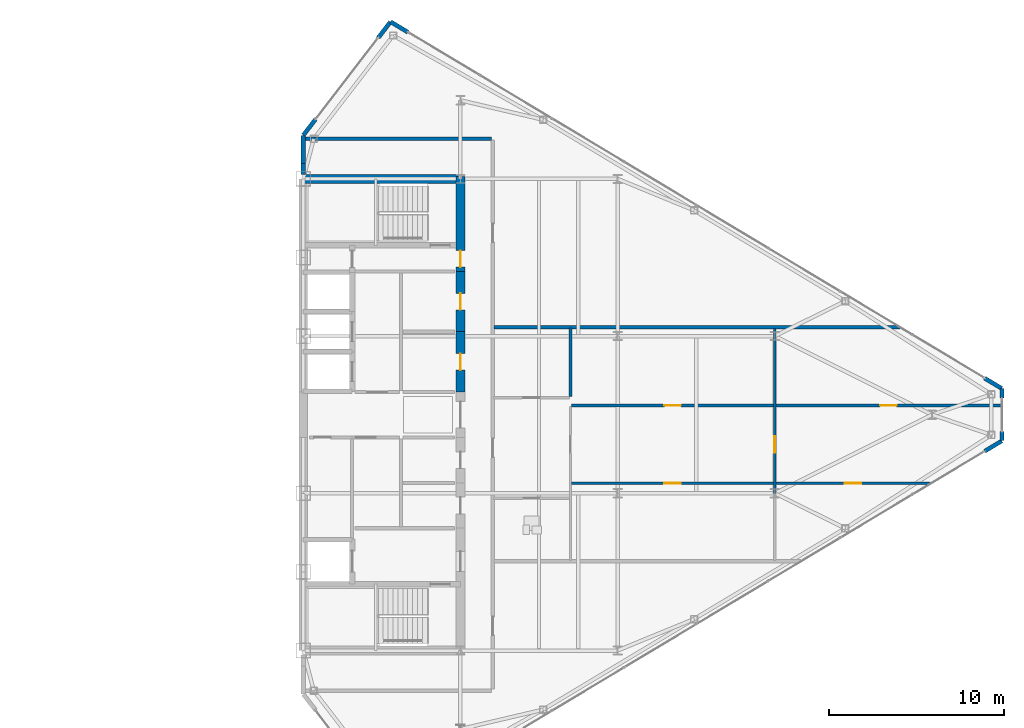
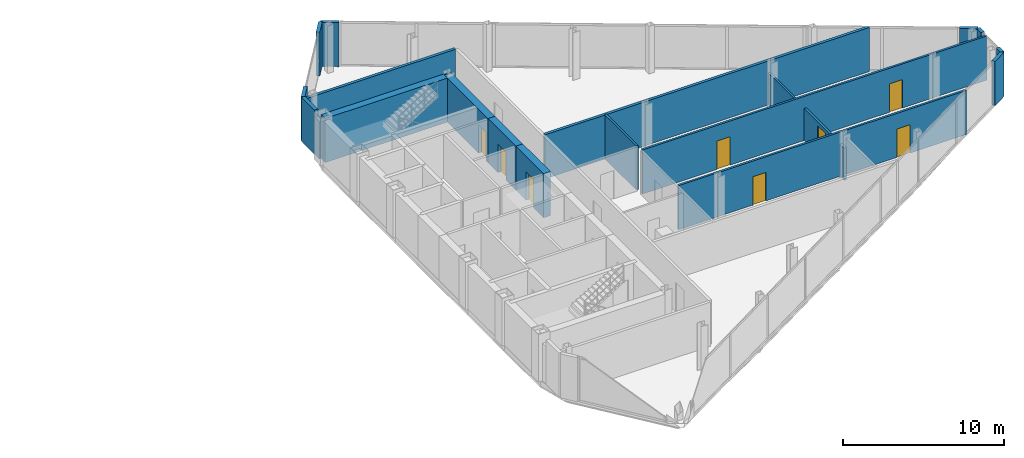
# One storey, part 23 of 26: 19 walls, 8 doors, 8 openings.
"""IFC4 building model written with IfcOpenShell, lengths in metres."""

from ifc_helpers import new_model, si_unit, direction, frame, frame_2d, origin, place, context, subcontext, project, spatial, rectangle, extrude, source, transform, mapped, material, layer, layer_set, type_object, type_shapes, element, fill, save


model = new_model("IFC4")

# Units and contexts
model_context = context("Model", 3, precision=1e-05, world=origin(), true_north=direction((0.0, 1.0)))
body_context = subcontext(model_context, "Body", "Model", "MODEL_VIEW")
ifc_project = project(units=[si_unit("LENGTHUNIT", "METRE"), si_unit("AREAUNIT", "SQUARE_METRE"), si_unit("VOLUMEUNIT", "CUBIC_METRE"), si_unit("PLANEANGLEUNIT", "RADIAN"), si_unit("MASSUNIT", "GRAM", prefix="KILO")], contexts=[model_context])

# Site, building, storey
site_placement = place(None, origin())
site = spatial("IfcSite", under=ifc_project, at=site_placement, CompositionType="ELEMENT")
building_placement = place(site_placement, origin())
building = spatial("IfcBuilding", under=site, at=building_placement, Name="Seokmaru Belvedere", CompositionType="ELEMENT")
storey_placement = place(building_placement, frame((0.0, 0.0, 221.10009765625)))
storey = spatial("IfcBuildingStorey", under=building, at=storey_placement, Name="L59", CompositionType="ELEMENT", Elevation=221.10009765625)

# Wall, openings, doors
ifc_material_1 = material(Name="Fire-Rated Gypsum Shaftwall")
ifc_layer_1 = layer(ifc_material_1, 0.14990234375)
ifc_layer_set_1 = layer_set([ifc_layer_1], Name="Fire-Rated Gypsum Shaftwall")
wall_type_1 = type_object("IfcWallType", Name="Apartment Fire-Acoustic Room Partition 150", PredefinedType="PARTITIONING", material=ifc_layer_set_1)
wall_1_placement = place(storey_placement, frame((42.85009765625, -3.929931640625, 0.0), z_axis=(0.0, 0.0, 1.0), x_axis=(1.0, 0.0, 0.0)))
wall_1 = element("IfcWall", 1, at=wall_1_placement, inside=storey, type_object=wall_type_1, Name="L59 Interior Partition 006", PredefinedType="PARTITIONING", context=body_context, shape_type="SweptSolid", body=[
    extrude(rectangle(XDim=20.6298828125, YDim=0.14990234375, at=frame_2d((10.31494140625, 0.0))), origin(), (0.0, 0.0, 1.0), 3.33984375),
])
opening_1_placement = place(wall_1_placement, frame((5.324951171875, 0.0, 0.0)))
opening_1 = element("IfcOpeningElement", 2, at=opening_1_placement, cuts=wall_1, Name="Opening D05", PredefinedType="OPENING", context=body_context, shape_type="SweptSolid", body=[
    extrude(rectangle(XDim=0.949951171875, YDim=2.14990234375, at=frame_2d((0.47509765625, 1.074951171875))), frame((0.0, 0.0849609375, 0.0), z_axis=(0.0, -1.0, 0.0), x_axis=(1.0, 0.0, 0.0)), (0.0, 0.0, 1.0), 0.169921875),
])
opening_2_placement = place(wall_1_placement, frame((15.647216796875, 0.0, 0.0)))
opening_2 = element("IfcOpeningElement", 3, at=opening_2_placement, cuts=wall_1, Name="Opening D05", PredefinedType="OPENING", context=body_context, shape_type="SweptSolid", body=[
    extrude(rectangle(XDim=0.949951171875, YDim=2.14990234375, at=frame_2d((0.47509765625, 1.074951171875))), frame((0.0, 0.0849609375, 0.0), z_axis=(0.0, -1.0, 0.0), x_axis=(1.0, 0.0, 0.0)), (0.0, 0.0, 1.0), 0.169921875),
])
ifc_material_2 = material(Name="Engineered White Oak Timber", Category="wood")
door_type_1 = type_object("IfcDoorType", Name="Apartment Interior Fire-Rated Oak Door 950x2150", OperationType="NOTDEFINED", PredefinedType="DOOR", material=ifc_material_2)
shared_shape_1 = source(origin(), body_context, "Body", "SweptSolid", [
    extrude(rectangle(XDim=0.949951171875, YDim=2.14990234375, at=frame_2d((0.47509765625, 1.074951171875))), frame((0.0, 0.02490234375, 0.0), z_axis=(0.0, -1.0, 0.0), x_axis=(1.0, 0.0, 0.0)), (0.0, 0.0, 1.0), 0.050048828125),
])
type_shapes(door_type_1, [shared_shape_1])
door_1_placement = place(opening_1_placement, origin())
door_1 = element("IfcDoor", 4, at=door_1_placement, inside=storey, type_object=door_type_1, Name="L59 Interior Door 023", OperationType="SINGLE_SWING_RIGHT", OverallHeight=2.14990234375, OverallWidth=0.949951171875, PredefinedType="DOOR", context=body_context, shape_type="MappedRepresentation", body=[
    mapped(shared_shape_1, transform((0.0, 0.0, 0.0), scale=1.0)),
])
fill(opening_1, door_1)
door_2_placement = place(opening_2_placement, origin())
door_2 = element("IfcDoor", 5, at=door_2_placement, inside=storey, type_object=door_type_1, Name="L59 Interior Door 025", OperationType="SINGLE_SWING_LEFT", OverallHeight=2.14990234375, OverallWidth=0.949951171875, PredefinedType="DOOR", context=body_context, shape_type="MappedRepresentation", body=[
    mapped(shared_shape_1, transform((0.0, 0.0, 0.0), scale=1.0)),
])
fill(opening_2, door_2)

wall_2_placement = place(storey_placement, frame((42.85009765625, 0.530029296875, 0.0), z_axis=(0.0, 0.0, 1.0), x_axis=(1.0, 0.0, 0.0)))
wall_2 = element("IfcWall", 6, at=wall_2_placement, inside=storey, type_object=wall_type_1, Name="L59 Interior Partition 009", PredefinedType="PARTITIONING", context=body_context, shape_type="SweptSolid", body=[
    extrude(rectangle(XDim=24.684814453125, YDim=0.14990234375, at=frame_2d((12.34228515625, 0.0))), origin(), (0.0, 0.0, 1.0), 3.33984375),
])
opening_3_placement = place(wall_2_placement, frame((5.324951171875, 0.0, 0.0)))
opening_3 = element("IfcOpeningElement", 7, at=opening_3_placement, cuts=wall_2, Name="Opening D05", PredefinedType="OPENING", context=body_context, shape_type="SweptSolid", body=[
    extrude(rectangle(XDim=0.949951171875, YDim=2.14990234375, at=frame_2d((0.47509765625, 1.074951171875))), frame((0.0, 0.0849609375, 0.0), z_axis=(0.0, -1.0, 0.0), x_axis=(1.0, 0.0, 0.0)), (0.0, 0.0, 1.0), 0.169921875),
])
opening_4_placement = place(wall_2_placement, frame((17.675048828125, 0.0, 0.0)))
opening_4 = element("IfcOpeningElement", 8, at=opening_4_placement, cuts=wall_2, Name="Opening D05", PredefinedType="OPENING", context=body_context, shape_type="SweptSolid", body=[
    extrude(rectangle(XDim=0.949951171875, YDim=2.14990234375, at=frame_2d((0.47509765625, 1.074951171875))), frame((0.0, 0.0849609375, 0.0), z_axis=(0.0, -1.0, 0.0), x_axis=(1.0, 0.0, 0.0)), (0.0, 0.0, 1.0), 0.169921875),
])
door_3_placement = place(opening_3_placement, origin())
door_3 = element("IfcDoor", 9, at=door_3_placement, inside=storey, type_object=door_type_1, Name="L59 Interior Door 024", OperationType="SINGLE_SWING_LEFT", OverallHeight=2.14990234375, OverallWidth=0.949951171875, PredefinedType="DOOR", context=body_context, shape_type="MappedRepresentation", body=[
    mapped(shared_shape_1, transform((0.0, 0.0, 0.0), scale=1.0)),
])
fill(opening_3, door_3)
door_4_placement = place(opening_4_placement, origin())
door_4 = element("IfcDoor", 10, at=door_4_placement, inside=storey, type_object=door_type_1, Name="L59 Interior Door 026", OperationType="SINGLE_SWING_LEFT", OverallHeight=2.14990234375, OverallWidth=0.949951171875, PredefinedType="DOOR", context=body_context, shape_type="MappedRepresentation", body=[
    mapped(shared_shape_1, transform((0.0, 0.0, 0.0), scale=1.0)),
])
fill(opening_4, door_4)

# Wall
wall_3_placement = place(storey_placement, frame((42.800048828125, 1.031982421875, 0.0), z_axis=(0.0, 0.0, 1.0), x_axis=(0.0, 1.0, 0.0)))
element("IfcWall", 11, at=wall_3_placement, inside=storey, type_object=wall_type_1, Name="L59 Interior Partition 029", PredefinedType="PARTITIONING", context=body_context, shape_type="SweptSolid", body=[
    extrude(rectangle(XDim=3.91796875, YDim=0.14990234375, at=frame_2d((1.958984375, 0.0))), origin(), (0.0, 0.0, 1.0), 3.33984375),
])

# Wall, opening, door
wall_4_placement = place(storey_placement, frame((54.5, -4.52001953125, 0.0), z_axis=(0.0, 0.0, 1.0), x_axis=(0.0, 1.0, 0.0)))
wall_4 = element("IfcWall", 12, at=wall_4_placement, inside=storey, type_object=wall_type_1, Name="L59 Interior Partition 030 Part 2", PredefinedType="PARTITIONING", context=body_context, shape_type="SweptSolid", body=[
    extrude(rectangle(XDim=9.469970703125, YDim=0.14990234375, at=frame_2d((4.73486328125, 0.0))), origin(), (0.0, 0.0, 1.0), 2.43994140625),
])
opening_5_placement = place(wall_4_placement, frame((2.344970703125, 0.0, 0.0)))
opening_5 = element("IfcOpeningElement", 13, at=opening_5_placement, cuts=wall_4, Name="Opening D05", PredefinedType="OPENING", context=body_context, shape_type="SweptSolid", body=[
    extrude(rectangle(XDim=0.949951171875, YDim=2.14990234375, at=frame_2d((0.47509765625, 1.074951171875))), frame((0.0, 0.0849609375, 0.0), z_axis=(0.0, -1.0, 0.0), x_axis=(1.0, 0.0, 0.0)), (0.0, 0.0, 1.0), 0.169921875),
])
door_5_placement = place(opening_5_placement, origin())
door_5 = element("IfcDoor", 14, at=door_5_placement, inside=storey, type_object=door_type_1, Name="L59 Interior Door 022", OperationType="SINGLE_SWING_RIGHT", OverallHeight=2.14990234375, OverallWidth=0.949951171875, PredefinedType="DOOR", context=body_context, shape_type="MappedRepresentation", body=[
    mapped(shared_shape_1, transform((0.0, 0.0, 0.0), scale=1.0)),
])
fill(opening_5, door_5)

# Walls
ifc_layer_2 = layer(ifc_material_1, 0.199951171875)
ifc_layer_set_2 = layer_set([ifc_layer_2], Name="Fire-Rated Gypsum Shaftwall")
wall_type_2 = type_object("IfcWallType", Name="Inter-Tenancy Fire Compartment Partition 200", PredefinedType="PARTITIONING", material=ifc_layer_set_2)
wall_5_placement = place(storey_placement, frame((38.429931640625, 5.0, 0.0), z_axis=(0.0, 0.0, 1.0), x_axis=(1.0, 0.0, 0.0)))
element("IfcWall", 15, at=wall_5_placement, inside=storey, type_object=wall_type_2, Name="L59 Interior Partition 013", PredefinedType="PARTITIONING", context=body_context, shape_type="SweptSolid", body=[
    extrude(rectangle(XDim=23.24609375, YDim=0.199951171875, at=frame_2d((11.623046875, 0.0))), origin(), (0.0, 0.0, 1.0), 3.33984375),
])
wall_6_placement = place(storey_placement, frame((27.625, 15.800048828125, 0.0), z_axis=(0.0, 0.0, 1.0), x_axis=(1.0, 0.0, 0.0)))
element("IfcWall", 16, at=wall_6_placement, inside=storey, type_object=wall_type_2, Name="L59 Interior Partition 019", PredefinedType="PARTITIONING", context=body_context, shape_type="SweptSolid", body=[
    extrude(rectangle(XDim=10.639892578125, YDim=0.199951171875, at=frame_2d((5.31982421875, 0.0))), origin(), (0.0, 0.0, 1.0), 3.33984375),
])
ifc_material_3 = material(Name="Anodised Bronze Aluminium", Category="aluminium")
ifc_layer_3 = layer(ifc_material_3, 0.239990234375)
ifc_layer_set_3 = layer_set([ifc_layer_3], Name="Anodised Bronze Aluminium")
wall_type_3 = type_object("IfcWallType", Name="Tower Corner Spandrel Closure Wall 240", PredefinedType="SOLIDWALL", material=ifc_layer_set_3)
wall_7_placement = place(storey_placement, frame((66.513916015625, -2.091796875, 0.0), z_axis=(0.0, 0.0, 1.0), x_axis=(0.85743623509, 0.514590228002, 0.0)))
element("IfcWall", 17, at=wall_7_placement, inside=storey, type_object=wall_type_3, Name="L59 E Corner Closure Pier 1B", PredefinedType="SOLIDWALL", context=body_context, shape_type="SweptSolid", body=[
    extrude(rectangle(XDim=1.14013671875, YDim=0.239990234375, at=frame_2d((0.570068359375, 0.0))), origin(), (0.0, 0.0, 1.0), 3.33984375),
])
for number, where, z_axis, x_axis, name in (
    (18, (67.5, -1.489990234375, 0.0), (0.0, 0.0, 1.0), (0.0, 1.0, 0.0), "L59 E Apex Closure Pier 2A"),
    (19, (67.5, 0.949951171875, 0.0), (0.0, 0.0, 1.0), (0.0, 1.0, 0.0), "L59 E Apex Closure Pier 2B"),
):
    element("IfcWall", number, at=place(storey_placement, frame(where, z_axis=z_axis, x_axis=x_axis)), inside=storey, type_object=wall_type_3, Name=name, PredefinedType="SOLIDWALL", context=body_context, shape_type="SweptSolid", body=[
        extrude(rectangle(XDim=0.5400390625, YDim=0.239990234375, at=frame_2d((0.27001953125, 0.0))), origin(), (0.0, 0.0, 1.0), 3.33984375),
    ])
for number, where, z_axis, x_axis, name in (
    (20, (67.491455078125, 1.505126953125, 0.0), (0.0, 0.0, 1.0), (-0.85743623509, 0.514590228002, 0.0), "L59 E Corner Closure Pier 3A"),
    (21, (33.486083984375, 21.908203125, 0.0), (0.0, 0.0, 1.0), (-0.85743623509, 0.514590228002, 0.0), "L59 E Corner Closure Pier 3B"),
    (22, (32.493896484375, 22.4921875, 0.0), (0.0, 0.0, 1.0), (-0.609617623633, -0.792695624408, 0.0), "L59 E Corner Closure Pier 4A"),
    (23, (28.201171875, 16.91162109375, 0.0), (0.0, 0.0, 1.0), (-0.609617623633, -0.792695624408, 0.0), "L59 E Corner Closure Pier 4B"),
):
    element("IfcWall", number, at=place(storey_placement, frame(where, z_axis=z_axis, x_axis=x_axis)), inside=storey, type_object=wall_type_3, Name=name, PredefinedType="SOLIDWALL", context=body_context, shape_type="SweptSolid", body=[
        extrude(rectangle(XDim=1.14013671875, YDim=0.239990234375, at=frame_2d((0.570068359375, 0.0))), origin(), (0.0, 0.0, 1.0), 3.33984375),
    ])
wall_8_placement = place(storey_placement, frame((27.5, 13.7548828125, 0.0), z_axis=(0.0, 0.0, 1.0), x_axis=(0.0, 1.0, 0.0)))
element("IfcWall", 24, at=wall_8_placement, inside=storey, type_object=wall_type_3, Name="L59 E Shoulder Closure Wall 2", PredefinedType="SOLIDWALL", context=body_context, shape_type="SweptSolid", body=[
    extrude(rectangle(XDim=0.619873046875, YDim=0.239990234375, at=frame_2d((0.31005859375, 0.0))), origin(), (0.0, 0.0, 1.0), 2.83984375),
])
wall_9_placement = place(storey_placement, frame((27.5, 14.374755859375, 0.0), z_axis=(0.0, 0.0, 1.0), x_axis=(0.0, 1.0, 0.0)))
element("IfcWall", 25, at=wall_9_placement, inside=storey, type_object=wall_type_3, Name="L59 E Shoulder Closure Wall 2 Part 2", PredefinedType="SOLIDWALL", context=body_context, shape_type="SweptSolid", body=[
    extrude(rectangle(XDim=1.605224609375, YDim=0.239990234375, at=frame_2d((0.802734375, 0.0))), origin(), (0.0, 0.0, 1.0), 3.33984375),
])
ifc_material_4 = material(Name="Concrete C50 (50 MPa)", Category="concrete")
ifc_layer_4 = layer(ifc_material_4, 0.5)
ifc_layer_set_4 = layer_set([ifc_layer_4], Name="Concrete C50 (50 MPa)")
wall_type_4 = type_object("IfcWallType", Name="Upper Tower Reinforced Concrete Core Wall 500", PredefinedType="SHEAR", material=ifc_layer_set_4)
wall_10_placement = place(storey_placement, frame((27.5, 13.5, 0.0), z_axis=(0.0, 0.0, 1.0), x_axis=(1.0, 0.0, 0.0)))
element("IfcWall", 26, at=wall_10_placement, inside=storey, type_object=wall_type_4, Name="L59 East North Core Wall", PredefinedType="SHEAR", context=body_context, shape_type="SweptSolid", body=[
    extrude(rectangle(XDim=9.0, YDim=0.5, at=frame_2d((4.5, 0.0))), origin(), (0.0, 0.0, 1.0), 3.33984375),
])

# Wall, opening, door
wall_11_placement = place(storey_placement, frame((36.5, 8.199951171875, 0.0), z_axis=(0.0, 0.0, 1.0), x_axis=(0.0, 1.0, 0.0)))
wall_11 = element("IfcWall", 27, at=wall_11_placement, inside=storey, type_object=wall_type_4, Name="L59 East West Core Wall VST", PredefinedType="SHEAR", context=body_context, shape_type="SweptSolid", body=[
    extrude(rectangle(XDim=5.449951171875, YDim=0.5, at=frame_2d((2.72509765625, 0.0))), origin(), (0.0, 0.0, 1.0), 3.33984375),
])
opening_6_placement = place(wall_11_placement, frame((0.2451171875, 0.0, 0.0)))
opening_6 = element("IfcOpeningElement", 28, at=opening_6_placement, cuts=wall_11, Name="Opening D04", PredefinedType="OPENING", context=body_context, shape_type="SweptSolid", body=[
    extrude(rectangle(XDim=0.949951171875, YDim=2.14990234375, at=frame_2d((0.47509765625, 1.074951171875))), frame((0.0, 0.260009765625, 0.0), z_axis=(0.0, -1.0, 0.0), x_axis=(1.0, 0.0, 0.0)), (0.0, 0.0, 1.0), 0.52001953125),
])
ifc_material_5 = material(Name="Fire-Rated Steel Leaf", Category="steel")
door_type_2 = type_object("IfcDoorType", Name="Core Service Room Fire Door 950x2150", OperationType="NOTDEFINED", PredefinedType="DOOR", material=ifc_material_5)
shared_shape_2 = source(origin(), body_context, "Body", "SweptSolid", [
    extrude(rectangle(XDim=0.949951171875, YDim=2.14990234375, at=frame_2d((0.47509765625, 1.074951171875))), frame((0.0, 0.02490234375, 0.0), z_axis=(0.0, -1.0, 0.0), x_axis=(1.0, 0.0, 0.0)), (0.0, 0.0, 1.0), 0.050048828125),
])
type_shapes(door_type_2, [shared_shape_2])
door_6_placement = place(opening_6_placement, origin())
door_6 = element("IfcDoor", 29, at=door_6_placement, inside=storey, type_object=door_type_2, Name="L59 East Smokeproof Vestibule Door", OperationType="SINGLE_SWING_LEFT", OverallHeight=2.14990234375, OverallWidth=0.949951171875, PredefinedType="DOOR", context=body_context, shape_type="MappedRepresentation", body=[
    mapped(shared_shape_2, transform((0.0, 0.0, 0.0), scale=1.0)),
])
fill(opening_6, door_6)

wall_12_placement = place(storey_placement, frame((36.5, 1.300048828125, 0.0), z_axis=(0.0, 0.0, 1.0), x_axis=(0.0, 1.0, 0.0)))
wall_12 = element("IfcWall", 30, at=wall_12_placement, inside=storey, type_object=wall_type_4, Name="L59 East West Core Wall CS3", PredefinedType="SHEAR", context=body_context, shape_type="SweptSolid", body=[
    extrude(rectangle(XDim=3.449951171875, YDim=0.5, at=frame_2d((1.72509765625, 0.0))), origin(), (0.0, 0.0, 1.0), 3.33984375),
])
opening_7_placement = place(wall_12_placement, frame((1.25, 0.0, 0.0)))
opening_7 = element("IfcOpeningElement", 31, at=opening_7_placement, cuts=wall_12, Name="Opening D04", PredefinedType="OPENING", context=body_context, shape_type="SweptSolid", body=[
    extrude(rectangle(XDim=0.949951171875, YDim=2.14990234375, at=frame_2d((0.47509765625, 1.074951171875))), frame((0.0, 0.260009765625, 0.0), z_axis=(0.0, -1.0, 0.0), x_axis=(1.0, 0.0, 0.0)), (0.0, 0.0, 1.0), 0.52001953125),
])
door_7_placement = place(opening_7_placement, origin())
door_7 = element("IfcDoor", 32, at=door_7_placement, inside=storey, type_object=door_type_2, Name="L59 East Core Service Room Door 3", OperationType="SINGLE_SWING_RIGHT", OverallHeight=2.14990234375, OverallWidth=0.949951171875, PredefinedType="DOOR", context=body_context, shape_type="MappedRepresentation", body=[
    mapped(shared_shape_2, transform((0.0, 0.0, 0.0), scale=1.0)),
])
fill(opening_7, door_7)

wall_13_placement = place(storey_placement, frame((36.5, 4.75, 0.0), z_axis=(0.0, 0.0, 1.0), x_axis=(0.0, 1.0, 0.0)))
wall_13 = element("IfcWall", 33, at=wall_13_placement, inside=storey, type_object=wall_type_4, Name="L59 East West Core Wall CS4", PredefinedType="SHEAR", context=body_context, shape_type="SweptSolid", body=[
    extrude(rectangle(XDim=3.449951171875, YDim=0.5, at=frame_2d((1.72509765625, 0.0))), origin(), (0.0, 0.0, 1.0), 3.33984375),
])
opening_8_placement = place(wall_13_placement, frame((1.25, 0.0, 0.0)))
opening_8 = element("IfcOpeningElement", 34, at=opening_8_placement, cuts=wall_13, Name="Opening D04", PredefinedType="OPENING", context=body_context, shape_type="SweptSolid", body=[
    extrude(rectangle(XDim=0.949951171875, YDim=2.14990234375, at=frame_2d((0.47509765625, 1.074951171875))), frame((0.0, 0.260009765625, 0.0), z_axis=(0.0, -1.0, 0.0), x_axis=(1.0, 0.0, 0.0)), (0.0, 0.0, 1.0), 0.52001953125),
])
door_8_placement = place(opening_8_placement, origin())
door_8 = element("IfcDoor", 35, at=door_8_placement, inside=storey, type_object=door_type_2, Name="L59 East Core Service Room Door 4", OperationType="SINGLE_SWING_LEFT", OverallHeight=2.14990234375, OverallWidth=0.949951171875, PredefinedType="DOOR", context=body_context, shape_type="MappedRepresentation", body=[
    mapped(shared_shape_2, transform((0.0, 0.0, 0.0), scale=1.0)),
])
fill(opening_8, door_8)

save(model, "model.ifc")
